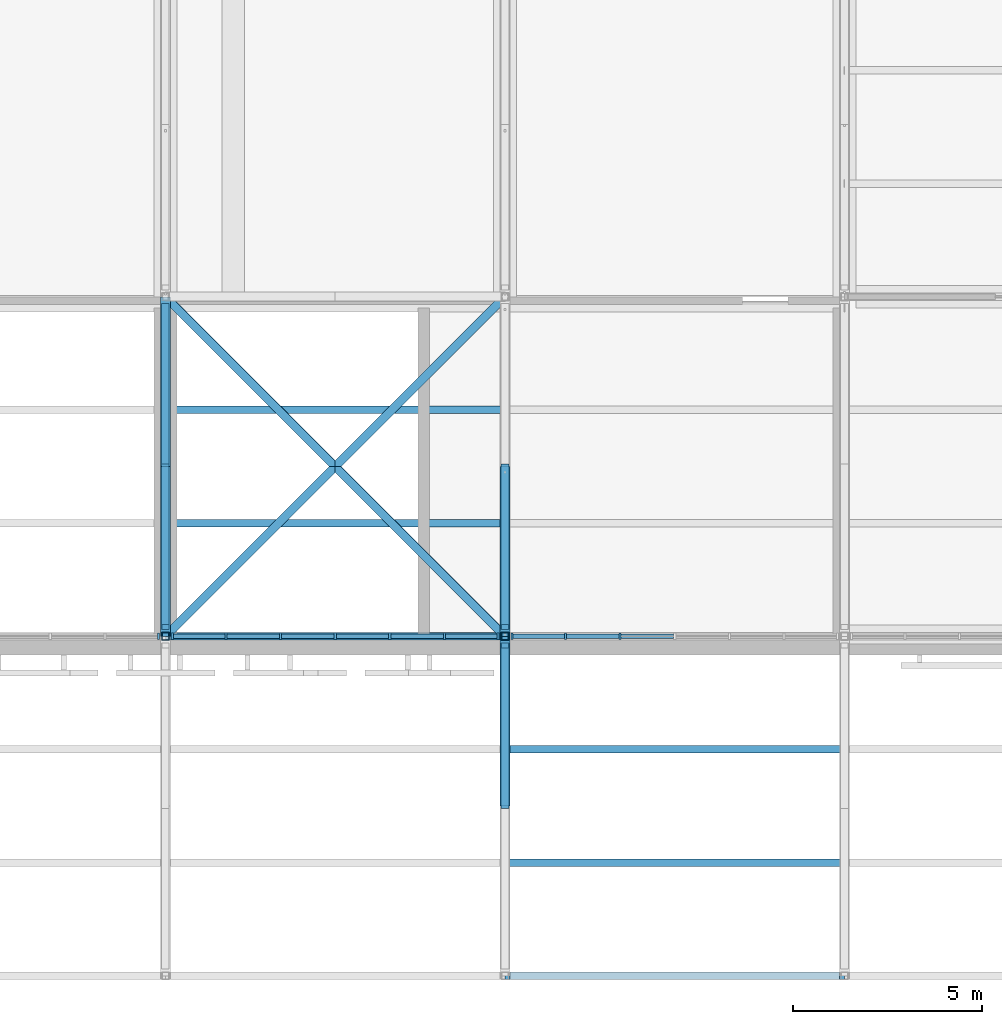
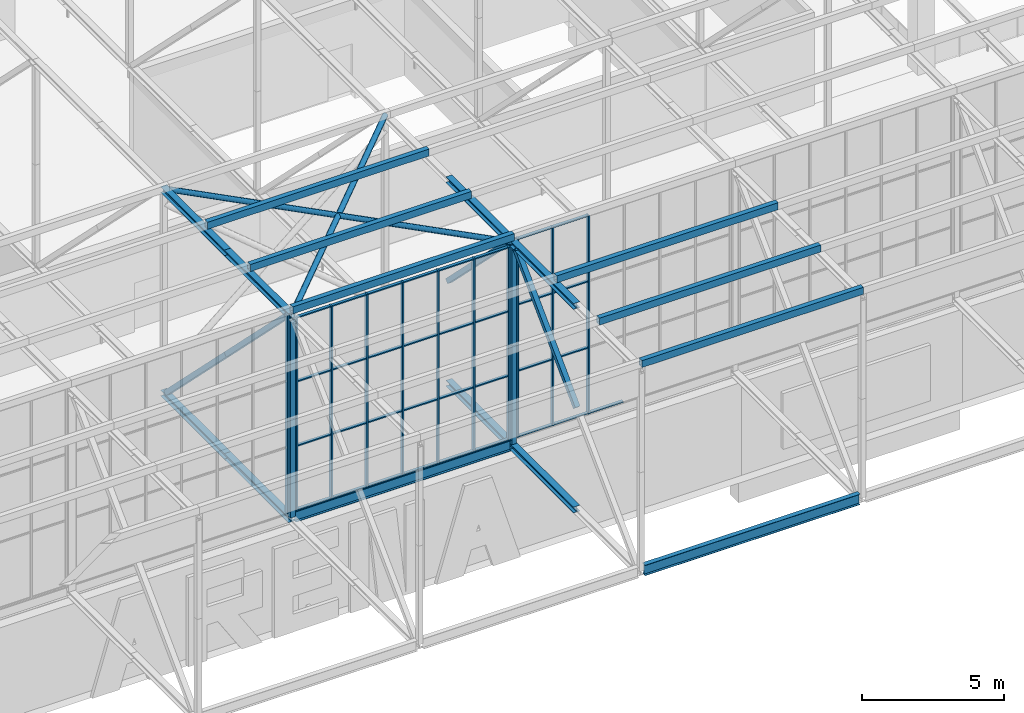
# One storey, part 39 of 646: 70 members, 2 beams, 3 elements without a shape of their own.
"""IFC4 building model written with IfcOpenShell, lengths in metres."""

from ifc_helpers import new_model, si_unit, direction, frame, origin, origin_2d, place, context, subcontext, project, spatial, rectangle, hollow_rectangle, hollow_circle, i_section, extrude, material, material_profile, profile_set, type_object, element, aggregate, save


model = new_model("IFC4")

# Units and contexts
model_context = context("Model", 3, precision=1e-05, world=origin(), true_north=direction((0.0, 1.0)))
body_context = subcontext(model_context, "Body", "Model", "MODEL_VIEW")
ifc_project = project(units=[si_unit("LENGTHUNIT", "METRE"), si_unit("AREAUNIT", "SQUARE_METRE"), si_unit("VOLUMEUNIT", "CUBIC_METRE"), si_unit("PLANEANGLEUNIT", "RADIAN"), si_unit("MASSUNIT", "GRAM", prefix="KILO")], contexts=[model_context])

# Site, building, storey
site_placement = place(None, origin())
site = spatial("IfcSite", under=ifc_project, at=site_placement, CompositionType="ELEMENT")
building_placement = place(site_placement, origin())
building = spatial("IfcBuilding", under=site, at=building_placement, Name="Silverbay Arena", CompositionType="ELEMENT")
storey_placement = place(building_placement, frame((0.0, 0.0, 33.5)))
storey = spatial("IfcBuildingStorey", under=building, at=storey_placement, Name="L05", CompositionType="ELEMENT", Elevation=33.5)

# Members
ifc_material_1 = material(Name="Steel S355", Category="steel")
ifc_material_profile_1 = material_profile(ifc_material_1, i_section(OverallWidth=0.254638671875, OverallDepth=0.254150390625, WebThickness=0.008544921875, FlangeThickness=0.01416015625, at=origin_2d()), Name="UC 254x254x73")
ifc_profile_set_1 = profile_set([ifc_material_profile_1], Name="Steel S355")
member_type_1 = type_object("IfcMemberType", Name="Medium-span bottom chord UC 254x254x73", PredefinedType="CHORD", material=ifc_profile_set_1)
for number, where, z_axis, x_axis, name in (
    (1, (162.0, 18.0, 4.126953125), (0.0, 1.0, 0.0), (-1.0, 0.0, 0.0), "ROOF TRUSS 19 bottom chord 02a"),
    (2, (162.0, 22.5, 4.126953125), (0.0, 1.0, 0.0), (-1.0, 0.0, 0.0), "ROOF TRUSS 19 bottom chord 02b"),
    (3, (171.0, 13.5, 4.126953125), (0.0, 1.0, 0.0), (-1.0, 0.0, 0.0), "ROOF TRUSS 20 bottom chord 01b"),
    (4, (171.0, 18.0, 4.126953125), (0.0, 1.0, 0.0), (-1.0, 0.0, 0.0), "ROOF TRUSS 20 bottom chord 02a"),
):
    element("IfcMember", number, at=place(storey_placement, frame(where, z_axis=z_axis, x_axis=x_axis)), inside=storey, type_object=member_type_1, Name=name, PredefinedType="CHORD", context=body_context, shape_type="SweptSolid", body=[
        extrude(i_section(OverallWidth=0.254638671875, OverallDepth=0.254150390625, WebThickness=0.008544921875, FlangeThickness=0.01416015625, at=origin_2d()), origin(), (0.0, 0.0, 1.0), 4.5),
    ])
ifc_material_2 = material(Name="Steel S355", Category="steel")
ifc_material_profile_2 = material_profile(ifc_material_2, i_section(OverallWidth=0.254638671875, OverallDepth=0.254150390625, WebThickness=0.008544921875, FlangeThickness=0.01416015625, at=origin_2d()), Name="UC 254x254x73")
ifc_profile_set_2 = profile_set([ifc_material_profile_2], Name="Steel S355")
member_type_2 = type_object("IfcMemberType", Name="Medium-span top chord UC 254x254x73", PredefinedType="CHORD", material=ifc_profile_set_2)
for number, where, z_axis, x_axis, name in (
    (5, (162.0, 18.0, 12.873046875), (0.0, 1.0, 0.0), (-1.0, 0.0, 0.0), "ROOF TRUSS 19 top chord 02a"),
    (6, (162.0, 22.5, 12.873046875), (0.0, 1.0, 0.0), (-1.0, 0.0, 0.0), "ROOF TRUSS 19 top chord 02b"),
    (7, (171.0, 13.5, 12.873046875), (0.0, 1.0, 0.0), (-1.0, 0.0, 0.0), "ROOF TRUSS 20 top chord 01b"),
    (8, (171.0, 18.0, 12.873046875), (0.0, 1.0, 0.0), (-1.0, 0.0, 0.0), "ROOF TRUSS 20 top chord 02a"),
):
    element("IfcMember", number, at=place(storey_placement, frame(where, z_axis=z_axis, x_axis=x_axis)), inside=storey, type_object=member_type_2, Name=name, PredefinedType="CHORD", context=body_context, shape_type="SweptSolid", body=[
        extrude(i_section(OverallWidth=0.254638671875, OverallDepth=0.254150390625, WebThickness=0.008544921875, FlangeThickness=0.01416015625, at=origin_2d()), origin(), (0.0, 0.0, 1.0), 4.5),
    ])
ifc_material_3 = material(Name="Steel S355", Category="steel")
ifc_material_profile_3 = material_profile(ifc_material_3, hollow_rectangle(XDim=0.199951171875, YDim=0.199951171875, WallThickness=0.008056640625, at=origin_2d()), Name="SHS 200x200x8")
ifc_profile_set_3 = profile_set([ifc_material_profile_3], Name="Steel S355")
member_type_3 = type_object("IfcMemberType", Name="Medium-span truss diagonal SHS 200x200x8", PredefinedType="BRACE", material=ifc_profile_set_3)
for number, where, z_axis, x_axis, name in (
    (9, (162.0, 18.24560546875, 12.745849609375), (0.0, 0.70781724692, -0.706395600894), (-1.0, 0.0, 0.0), "ROOF TRUSS 19 diagonal 02a"),
    (10, (162.0, 22.5, 8.5), (0.0, 0.70781724692, -0.706395600894), (-1.0, 0.0, 0.0), "ROOF TRUSS 19 diagonal 02b"),
    (11, (171.0, 17.75439453125, 12.745849609375), (0.0, -0.70781724692, -0.706395600894), (1.0, 0.0, 0.0), "ROOF TRUSS 20 diagonal 01a"),
    (12, (171.0, 18.24560546875, 12.745849609375), (0.0, 0.70781724692, -0.706395600894), (-1.0, 0.0, 0.0), "ROOF TRUSS 20 diagonal 02a"),
):
    element("IfcMember", number, at=place(storey_placement, frame(where, z_axis=z_axis, x_axis=x_axis)), inside=storey, type_object=member_type_3, Name=name, PredefinedType="BRACE", context=body_context, shape_type="SweptSolid", body=[
        extrude(hollow_rectangle(XDim=0.199951171875, YDim=0.199951171875, WallThickness=0.008056640625, at=origin_2d()), origin(), (0.0, 0.0, 1.0), 6.010498046875),
    ])
ifc_material_4 = material(Name="Steel S355", Category="steel")
ifc_material_profile_4 = material_profile(ifc_material_4, hollow_rectangle(XDim=0.199951171875, YDim=0.199951171875, WallThickness=0.008056640625, at=origin_2d()), Name="SHS 200x200x8")
ifc_profile_set_4 = profile_set([ifc_material_profile_4], Name="Steel S355")
member_type_4 = type_object("IfcMemberType", Name="Medium-span truss vertical SHS 200x200x8", PredefinedType="STRUT", material=ifc_profile_set_4)
for number, where, z_axis, x_axis, name in (
    (13, (162.0, 18.0, 4.254150390625), (0.0, 0.0, 1.0), (1.0, 0.0, 0.0), "ROOF TRUSS 19 vertical 02a"),
    (14, (162.0, 18.0, 8.5), (0.0, 0.0, 1.0), (1.0, 0.0, 0.0), "ROOF TRUSS 19 vertical 02b"),
    (15, (171.0, 18.0, 4.254150390625), (0.0, 0.0, 1.0), (1.0, 0.0, 0.0), "ROOF TRUSS 20 vertical 02a"),
    (16, (171.0, 18.0, 8.5), (0.0, 0.0, 1.0), (1.0, 0.0, 0.0), "ROOF TRUSS 20 vertical 02b"),
):
    element("IfcMember", number, at=place(storey_placement, frame(where, z_axis=z_axis, x_axis=x_axis)), inside=storey, type_object=member_type_4, Name=name, PredefinedType="STRUT", context=body_context, shape_type="SweptSolid", body=[
        extrude(hollow_rectangle(XDim=0.199951171875, YDim=0.199951171875, WallThickness=0.008056640625, at=origin_2d()), origin(), (0.0, 0.0, 1.0), 4.245849609375),
    ])

# Curtain wall, member
ifc_material_5 = material(Name="Aluminium framed glazing", Category="aluminium")
curtain_wall_type_1 = type_object("IfcCurtainWallType", Name="Curtain wall clerestory 8693 x 8540", PredefinedType="NOTDEFINED", material=ifc_material_5)
curtain_wall_1_placement = place(storey_placement, origin())
curtain_wall_1 = element("IfcCurtainWall", 17, at=curtain_wall_1_placement, inside=storey, type_object=curtain_wall_type_1, Name="ROOF CLERESTORY CURTAIN WALL south bay 12", PredefinedType="NOTDEFINED")
ifc_material_6 = material(Name="Aluminium", Category="aluminium")
ifc_material_profile_5 = material_profile(ifc_material_6, rectangle(XDim=0.159912109375, YDim=0.06005859375, at=origin_2d()), Name="Mullion 60 x 160")
ifc_profile_set_5 = profile_set([ifc_material_profile_5], Name="Aluminium")
member_type_5 = type_object("IfcMemberType", Name="Mullion 60 x 160", PredefinedType="MULLION", material=ifc_profile_set_5)
member_1_placement = place(storey_placement, frame((161.81640625, 18.0, 4.4599609375), z_axis=(0.0, 0.0, 1.0), x_axis=(0.0, 1.0, 0.0)))
member_1 = element("IfcMember", 18, at=member_1_placement, type_object=member_type_5, Name="CW55 mullion 7", PredefinedType="MULLION", context=body_context, shape_type="SweptSolid", body=[
    extrude(rectangle(XDim=0.159912109375, YDim=0.06005859375, at=origin_2d()), origin(), (0.0, 0.0, 1.0), 8.5400390625),
])
aggregate(curtain_wall_1, [member_1])

# Curtain wall, members
ifc_material_7 = material(Name="Aluminium framed glazing", Category="aluminium")
curtain_wall_type_2 = type_object("IfcCurtainWallType", Name="Curtain wall clerestory 8693 x 8303", PredefinedType="NOTDEFINED", material=ifc_material_7)
curtain_wall_2_placement = place(storey_placement, origin())
curtain_wall_2 = element("IfcCurtainWall", 19, at=curtain_wall_2_placement, inside=storey, type_object=curtain_wall_type_2, Name="ROOF CLERESTORY CURTAIN WALL south bay 13", PredefinedType="NOTDEFINED")
member_2_placement = place(storey_placement, frame((162.18359375, 18.0, 4.4599609375), z_axis=(0.0, 0.0, 1.0), x_axis=(0.0, 1.0, 0.0)))
member_2 = element("IfcMember", 20, at=member_2_placement, type_object=member_type_5, Name="CW54 mullion 1", PredefinedType="MULLION", context=body_context, shape_type="SweptSolid", body=[
    extrude(rectangle(XDim=0.159912109375, YDim=0.06005859375, at=origin_2d()), origin(), (0.0, 0.0, 1.0), 8.303466796875),
])
member_3_placement = place(storey_placement, frame((163.6025390625, 18.0, 4.4599609375), z_axis=(0.0, 0.0, 1.0), x_axis=(0.0, 1.0, 0.0)))
member_3 = element("IfcMember", 21, at=member_3_placement, type_object=member_type_5, Name="CW54 mullion 2", PredefinedType="MULLION", context=body_context, shape_type="SweptSolid", body=[
    extrude(rectangle(XDim=0.159912109375, YDim=0.06005859375, at=origin_2d()), origin(), (0.0, 0.0, 1.0), 8.303466796875),
])
member_4_placement = place(storey_placement, frame((165.05126953125, 18.0, 4.4599609375), z_axis=(0.0, 0.0, 1.0), x_axis=(0.0, 1.0, 0.0)))
member_4 = element("IfcMember", 22, at=member_4_placement, type_object=member_type_5, Name="CW54 mullion 3", PredefinedType="MULLION", context=body_context, shape_type="SweptSolid", body=[
    extrude(rectangle(XDim=0.159912109375, YDim=0.06005859375, at=origin_2d()), origin(), (0.0, 0.0, 1.0), 8.303466796875),
])
member_5_placement = place(storey_placement, frame((166.5, 18.0, 4.4599609375), z_axis=(0.0, 0.0, 1.0), x_axis=(0.0, 1.0, 0.0)))
member_5 = element("IfcMember", 23, at=member_5_placement, type_object=member_type_5, Name="CW54 mullion 4", PredefinedType="MULLION", context=body_context, shape_type="SweptSolid", body=[
    extrude(rectangle(XDim=0.159912109375, YDim=0.06005859375, at=origin_2d()), origin(), (0.0, 0.0, 1.0), 8.303466796875),
])
member_6_placement = place(storey_placement, frame((167.94873046875, 18.0, 4.4599609375), z_axis=(0.0, 0.0, 1.0), x_axis=(0.0, 1.0, 0.0)))
member_6 = element("IfcMember", 24, at=member_6_placement, type_object=member_type_5, Name="CW54 mullion 5", PredefinedType="MULLION", context=body_context, shape_type="SweptSolid", body=[
    extrude(rectangle(XDim=0.159912109375, YDim=0.06005859375, at=origin_2d()), origin(), (0.0, 0.0, 1.0), 8.303466796875),
])
member_7_placement = place(storey_placement, frame((169.3974609375, 18.0, 4.4599609375), z_axis=(0.0, 0.0, 1.0), x_axis=(0.0, 1.0, 0.0)))
member_7 = element("IfcMember", 25, at=member_7_placement, type_object=member_type_5, Name="CW54 mullion 6", PredefinedType="MULLION", context=body_context, shape_type="SweptSolid", body=[
    extrude(rectangle(XDim=0.159912109375, YDim=0.06005859375, at=origin_2d()), origin(), (0.0, 0.0, 1.0), 8.303466796875),
])
member_8_placement = place(storey_placement, frame((170.81640625, 18.0, 4.4599609375), z_axis=(0.0, 0.0, 1.0), x_axis=(0.0, 1.0, 0.0)))
member_8 = element("IfcMember", 26, at=member_8_placement, type_object=member_type_5, Name="CW54 mullion 7", PredefinedType="MULLION", context=body_context, shape_type="SweptSolid", body=[
    extrude(rectangle(XDim=0.159912109375, YDim=0.06005859375, at=origin_2d()), origin(), (0.0, 0.0, 1.0), 8.303466796875),
])

curtain_wall_3_placement = place(storey_placement, origin())
curtain_wall_3 = element("IfcCurtainWall", 27, at=curtain_wall_3_placement, inside=storey, type_object=curtain_wall_type_1, Name="ROOF CLERESTORY CURTAIN WALL south bay 14", PredefinedType="NOTDEFINED")
member_9_placement = place(storey_placement, frame((171.18359375, 18.0, 4.4599609375), z_axis=(0.0, 0.0, 1.0), x_axis=(0.0, 1.0, 0.0)))
member_9 = element("IfcMember", 28, at=member_9_placement, type_object=member_type_5, Name="CW55 mullion 1", PredefinedType="MULLION", context=body_context, shape_type="SweptSolid", body=[
    extrude(rectangle(XDim=0.159912109375, YDim=0.06005859375, at=origin_2d()), origin(), (0.0, 0.0, 1.0), 8.5400390625),
])
member_10_placement = place(storey_placement, frame((172.6025390625, 18.0, 4.4599609375), z_axis=(0.0, 0.0, 1.0), x_axis=(0.0, 1.0, 0.0)))
member_10 = element("IfcMember", 29, at=member_10_placement, type_object=member_type_5, Name="CW55 mullion 2", PredefinedType="MULLION", context=body_context, shape_type="SweptSolid", body=[
    extrude(rectangle(XDim=0.159912109375, YDim=0.06005859375, at=origin_2d()), origin(), (0.0, 0.0, 1.0), 8.5400390625),
])
member_11_placement = place(storey_placement, frame((174.05126953125, 18.0, 4.4599609375), z_axis=(0.0, 0.0, 1.0), x_axis=(0.0, 1.0, 0.0)))
member_11 = element("IfcMember", 30, at=member_11_placement, type_object=member_type_5, Name="CW55 mullion 3", PredefinedType="MULLION", context=body_context, shape_type="SweptSolid", body=[
    extrude(rectangle(XDim=0.159912109375, YDim=0.06005859375, at=origin_2d()), origin(), (0.0, 0.0, 1.0), 8.5400390625),
])

# Members
ifc_material_8 = material(Name="Steel S355", Category="steel")
ifc_material_profile_6 = material_profile(ifc_material_8, hollow_circle(Radius=0.109619140625, WallThickness=0.00634765625, at=origin_2d()), Name="CHS 219.1x6.3")
ifc_profile_set_6 = profile_set([ifc_material_profile_6], Name="Steel S355")
member_type_6 = type_object("IfcMemberType", Name="Plan bracing CHS 219.1x6.3", PredefinedType="BRACE", material=ifc_profile_set_6)
for number, where, z_axis, x_axis, name in (
    (31, (162.0, 18.0, 12.873046875), (0.707106781187, 0.707106781187, 0.0), (-0.707106781187, 0.707106781187, 0.0), "ROOF BRACING top 19-20 panel 02 Aa"),
    (32, (166.5, 22.5, 12.873046875), (0.707106781187, 0.707106781187, 0.0), (-0.707106781187, 0.707106781187, 0.0), "ROOF BRACING top 19-20 panel 02 Ab"),
    (33, (162.0, 27.0, 12.873046875), (0.707106781187, -0.707106781187, 0.0), (0.707106781187, 0.707106781187, 0.0), "ROOF BRACING top 19-20 panel 02 Ba"),
    (34, (166.5, 22.5, 12.873046875), (0.707106781187, -0.707106781187, 0.0), (0.707106781187, 0.707106781187, 0.0), "ROOF BRACING top 19-20 panel 02 Bb"),
):
    element("IfcMember", number, at=place(storey_placement, frame(where, z_axis=z_axis, x_axis=x_axis)), inside=storey, type_object=member_type_6, Name=name, PredefinedType="BRACE", context=body_context, shape_type="SweptSolid", body=[
        extrude(hollow_circle(Radius=0.109619140625, WallThickness=0.00634765625, at=origin_2d()), origin(), (0.0, 0.0, 1.0), 6.364013671875),
    ])
ifc_material_9 = material(Name="Steel S355", Category="steel")
ifc_material_profile_7 = material_profile(ifc_material_9, hollow_rectangle(XDim=0.199951171875, YDim=0.300048828125, WallThickness=0.00634765625, at=origin_2d()), Name="RHS 300x200x6.3")
ifc_profile_set_7 = profile_set([ifc_material_profile_7], Name="Steel S355")
member_type_7 = type_object("IfcMemberType", Name="Purlin RHS 300x200x6.3", PredefinedType="PURLIN", material=ifc_profile_set_7)
member_12_placement = place(storey_placement, frame((162.0, 24.0, 13.14990234375), z_axis=(1.0, 0.0, 0.0), x_axis=(0.0, 1.0, 0.0)))
element("IfcMember", 35, at=member_12_placement, inside=storey, type_object=member_type_7, Name="ROOF PURLIN 19-20 line 06", PredefinedType="PURLIN", context=body_context, shape_type="SweptSolid", body=[
    extrude(hollow_rectangle(XDim=0.199951171875, YDim=0.300048828125, WallThickness=0.00634765625, at=origin_2d()), origin(), (0.0, 0.0, 1.0), 9.0),
])
ifc_material_10 = material(Name="Steel S355", Category="steel")
ifc_material_profile_8 = material_profile(ifc_material_10, hollow_rectangle(XDim=0.199951171875, YDim=0.300048828125, WallThickness=0.008056640625, at=origin_2d()), Name="RHS 300x200x8")
ifc_profile_set_8 = profile_set([ifc_material_profile_8], Name="Steel S355")
member_type_8 = type_object("IfcMemberType", Name="Purlin RHS 300x200x8", PredefinedType="PURLIN", material=ifc_profile_set_8)
for number, where, z_axis, x_axis, name in (
    (36, (162.0, 18.0, 13.14990234375), (1.0, 0.0, 0.0), (0.0, 1.0, 0.0), "ROOF PURLIN 19-20 line 04"),
    (37, (162.0, 21.0, 13.14990234375), (1.0, 0.0, 0.0), (0.0, 1.0, 0.0), "ROOF PURLIN 19-20 line 05"),
    (38, (171.0, 9.0, 13.14990234375), (1.0, 0.0, 0.0), (0.0, 1.0, 0.0), "ROOF PURLIN 20-21 line 01"),
    (39, (171.0, 12.0, 13.14990234375), (1.0, 0.0, 0.0), (0.0, 1.0, 0.0), "ROOF PURLIN 20-21 line 02"),
    (40, (171.0, 15.0, 13.14990234375), (1.0, 0.0, 0.0), (0.0, 1.0, 0.0), "ROOF PURLIN 20-21 line 03"),
):
    element("IfcMember", number, at=place(storey_placement, frame(where, z_axis=z_axis, x_axis=x_axis)), inside=storey, type_object=member_type_8, Name=name, PredefinedType="PURLIN", context=body_context, shape_type="SweptSolid", body=[
        extrude(hollow_rectangle(XDim=0.199951171875, YDim=0.300048828125, WallThickness=0.008056640625, at=origin_2d()), origin(), (0.0, 0.0, 1.0), 9.0),
    ])

# Beams
ifc_material_11 = material(Name="Steel S355", Category="steel")
ifc_material_profile_9 = material_profile(ifc_material_11, i_section(OverallWidth=0.18994140625, OverallDepth=0.453369140625, WebThickness=0.008544921875, FlangeThickness=0.0126953125, at=origin_2d()), Name="UB 457x191x67")
ifc_profile_set_9 = profile_set([ifc_material_profile_9], Name="Steel S355")
beam_type_1 = type_object("IfcBeamType", Name="Ring beam UB 457x191x67", PredefinedType="BEAM", material=ifc_profile_set_9)
beam_1_placement = place(storey_placement, frame((171.127197265625, 9.0, 4.226806640625), z_axis=(1.0, 0.0, 0.0), x_axis=(0.0, 1.0, 0.0)))
element("IfcBeam", 41, at=beam_1_placement, inside=storey, type_object=beam_type_1, Name="RING BEAM south edge 20-21", PredefinedType="BEAM", context=body_context, shape_type="SweptSolid", body=[
    extrude(i_section(OverallWidth=0.18994140625, OverallDepth=0.453369140625, WebThickness=0.008544921875, FlangeThickness=0.0126953125, at=origin_2d()), origin(), (0.0, 0.0, 1.0), 8.74560546875),
])
ifc_material_12 = material(Name="Steel S355", Category="steel")
ifc_material_profile_10 = material_profile(ifc_material_12, i_section(OverallWidth=0.19140625, OverallDepth=0.4599609375, WebThickness=0.010009765625, FlangeThickness=0.01611328125, at=origin_2d()), Name="UB 457x191x82")
ifc_profile_set_10 = profile_set([ifc_material_profile_10], Name="Steel S355")
beam_type_2 = type_object("IfcBeamType", Name="Ring beam UB 457x191x82", PredefinedType="BEAM", material=ifc_profile_set_10)
beam_2_placement = place(storey_placement, frame((162.127197265625, 18.0, 4.22998046875), z_axis=(1.0, 0.0, 0.0), x_axis=(0.0, 1.0, 0.0)))
element("IfcBeam", 42, at=beam_2_placement, inside=storey, type_object=beam_type_2, Name="RING BEAM south facade 19-20", PredefinedType="BEAM", context=body_context, shape_type="SweptSolid", body=[
    extrude(i_section(OverallWidth=0.19140625, OverallDepth=0.4599609375, WebThickness=0.010009765625, FlangeThickness=0.01611328125, at=origin_2d()), origin(), (0.0, 0.0, 1.0), 8.74560546875),
])

# Member
ifc_material_13 = material(Name="Aluminium", Category="aluminium")
ifc_material_profile_11 = material_profile(ifc_material_13, rectangle(XDim=0.1201171875, YDim=0.050048828125, at=origin_2d()), Name="Transom 50 x 120")
ifc_profile_set_11 = profile_set([ifc_material_profile_11], Name="Aluminium")
member_type_9 = type_object("IfcMemberType", Name="Transom 50 x 120", PredefinedType="USERDEFINED", material=ifc_profile_set_11)
member_13_placement = place(storey_placement, frame((162.213623046875, 18.0, 4.485107421875), z_axis=(1.0, 0.0, 0.0), x_axis=(0.0, 1.0, 0.0)))
member_13 = element("IfcMember", 43, at=member_13_placement, type_object=member_type_9, Name="CW54 transom 1.1", ObjectType="TRANSOM", PredefinedType="USERDEFINED", context=body_context, shape_type="SweptSolid", body=[
    extrude(rectangle(XDim=0.1201171875, YDim=0.050048828125, at=origin_2d()), origin(), (0.0, 0.0, 1.0), 1.35888671875),
])

member_14_placement = place(storey_placement, frame((162.213623046875, 18.0, 7.227783203125), z_axis=(1.0, 0.0, 0.0), x_axis=(0.0, 1.0, 0.0)))
member_14 = element("IfcMember", 44, at=member_14_placement, type_object=member_type_9, Name="CW54 transom 1.2", ObjectType="TRANSOM", PredefinedType="USERDEFINED", context=body_context, shape_type="SweptSolid", body=[
    extrude(rectangle(XDim=0.1201171875, YDim=0.050048828125, at=origin_2d()), origin(), (0.0, 0.0, 1.0), 1.35888671875),
])

member_15_placement = place(storey_placement, frame((162.213623046875, 18.0, 9.99560546875), z_axis=(1.0, 0.0, 0.0), x_axis=(0.0, 1.0, 0.0)))
member_15 = element("IfcMember", 45, at=member_15_placement, type_object=member_type_9, Name="CW54 transom 1.3", ObjectType="TRANSOM", PredefinedType="USERDEFINED", context=body_context, shape_type="SweptSolid", body=[
    extrude(rectangle(XDim=0.1201171875, YDim=0.050048828125, at=origin_2d()), origin(), (0.0, 0.0, 1.0), 1.35888671875),
])

member_16_placement = place(storey_placement, frame((162.213623046875, 18.0, 12.73828125), z_axis=(1.0, 0.0, 0.0), x_axis=(0.0, 1.0, 0.0)))
member_16 = element("IfcMember", 46, at=member_16_placement, type_object=member_type_9, Name="CW54 transom 1.4", ObjectType="TRANSOM", PredefinedType="USERDEFINED", context=body_context, shape_type="SweptSolid", body=[
    extrude(rectangle(XDim=0.1201171875, YDim=0.050048828125, at=origin_2d()), origin(), (0.0, 0.0, 1.0), 1.35888671875),
])

member_17_placement = place(storey_placement, frame((163.632568359375, 18.0, 4.485107421875), z_axis=(1.0, 0.0, 0.0), x_axis=(0.0, 1.0, 0.0)))
member_17 = element("IfcMember", 47, at=member_17_placement, type_object=member_type_9, Name="CW54 transom 2.1", ObjectType="TRANSOM", PredefinedType="USERDEFINED", context=body_context, shape_type="SweptSolid", body=[
    extrude(rectangle(XDim=0.1201171875, YDim=0.050048828125, at=origin_2d()), origin(), (0.0, 0.0, 1.0), 1.388671875),
])

member_18_placement = place(storey_placement, frame((163.632568359375, 18.0, 7.227783203125), z_axis=(1.0, 0.0, 0.0), x_axis=(0.0, 1.0, 0.0)))
member_18 = element("IfcMember", 48, at=member_18_placement, type_object=member_type_9, Name="CW54 transom 2.2", ObjectType="TRANSOM", PredefinedType="USERDEFINED", context=body_context, shape_type="SweptSolid", body=[
    extrude(rectangle(XDim=0.1201171875, YDim=0.050048828125, at=origin_2d()), origin(), (0.0, 0.0, 1.0), 1.388671875),
])

member_19_placement = place(storey_placement, frame((163.632568359375, 18.0, 9.99560546875), z_axis=(1.0, 0.0, 0.0), x_axis=(0.0, 1.0, 0.0)))
member_19 = element("IfcMember", 49, at=member_19_placement, type_object=member_type_9, Name="CW54 transom 2.3", ObjectType="TRANSOM", PredefinedType="USERDEFINED", context=body_context, shape_type="SweptSolid", body=[
    extrude(rectangle(XDim=0.1201171875, YDim=0.050048828125, at=origin_2d()), origin(), (0.0, 0.0, 1.0), 1.388671875),
])

member_20_placement = place(storey_placement, frame((163.632568359375, 18.0, 12.73828125), z_axis=(1.0, 0.0, 0.0), x_axis=(0.0, 1.0, 0.0)))
member_20 = element("IfcMember", 50, at=member_20_placement, type_object=member_type_9, Name="CW54 transom 2.4", ObjectType="TRANSOM", PredefinedType="USERDEFINED", context=body_context, shape_type="SweptSolid", body=[
    extrude(rectangle(XDim=0.1201171875, YDim=0.050048828125, at=origin_2d()), origin(), (0.0, 0.0, 1.0), 1.388671875),
])

member_21_placement = place(storey_placement, frame((165.081298828125, 18.0, 4.485107421875), z_axis=(1.0, 0.0, 0.0), x_axis=(0.0, 1.0, 0.0)))
member_21 = element("IfcMember", 51, at=member_21_placement, type_object=member_type_9, Name="CW54 transom 3.1", ObjectType="TRANSOM", PredefinedType="USERDEFINED", context=body_context, shape_type="SweptSolid", body=[
    extrude(rectangle(XDim=0.1201171875, YDim=0.050048828125, at=origin_2d()), origin(), (0.0, 0.0, 1.0), 1.388671875),
])

member_22_placement = place(storey_placement, frame((165.081298828125, 18.0, 7.227783203125), z_axis=(1.0, 0.0, 0.0), x_axis=(0.0, 1.0, 0.0)))
member_22 = element("IfcMember", 52, at=member_22_placement, type_object=member_type_9, Name="CW54 transom 3.2", ObjectType="TRANSOM", PredefinedType="USERDEFINED", context=body_context, shape_type="SweptSolid", body=[
    extrude(rectangle(XDim=0.1201171875, YDim=0.050048828125, at=origin_2d()), origin(), (0.0, 0.0, 1.0), 1.388671875),
])

member_23_placement = place(storey_placement, frame((165.081298828125, 18.0, 9.99560546875), z_axis=(1.0, 0.0, 0.0), x_axis=(0.0, 1.0, 0.0)))
member_23 = element("IfcMember", 53, at=member_23_placement, type_object=member_type_9, Name="CW54 transom 3.3", ObjectType="TRANSOM", PredefinedType="USERDEFINED", context=body_context, shape_type="SweptSolid", body=[
    extrude(rectangle(XDim=0.1201171875, YDim=0.050048828125, at=origin_2d()), origin(), (0.0, 0.0, 1.0), 1.388671875),
])

member_24_placement = place(storey_placement, frame((165.081298828125, 18.0, 12.73828125), z_axis=(1.0, 0.0, 0.0), x_axis=(0.0, 1.0, 0.0)))
member_24 = element("IfcMember", 54, at=member_24_placement, type_object=member_type_9, Name="CW54 transom 3.4", ObjectType="TRANSOM", PredefinedType="USERDEFINED", context=body_context, shape_type="SweptSolid", body=[
    extrude(rectangle(XDim=0.1201171875, YDim=0.050048828125, at=origin_2d()), origin(), (0.0, 0.0, 1.0), 1.388671875),
])

member_25_placement = place(storey_placement, frame((166.530029296875, 18.0, 4.485107421875), z_axis=(1.0, 0.0, 0.0), x_axis=(0.0, 1.0, 0.0)))
member_25 = element("IfcMember", 55, at=member_25_placement, type_object=member_type_9, Name="CW54 transom 4.1", ObjectType="TRANSOM", PredefinedType="USERDEFINED", context=body_context, shape_type="SweptSolid", body=[
    extrude(rectangle(XDim=0.1201171875, YDim=0.050048828125, at=origin_2d()), origin(), (0.0, 0.0, 1.0), 1.388671875),
])

member_26_placement = place(storey_placement, frame((166.530029296875, 18.0, 7.227783203125), z_axis=(1.0, 0.0, 0.0), x_axis=(0.0, 1.0, 0.0)))
member_26 = element("IfcMember", 56, at=member_26_placement, type_object=member_type_9, Name="CW54 transom 4.2", ObjectType="TRANSOM", PredefinedType="USERDEFINED", context=body_context, shape_type="SweptSolid", body=[
    extrude(rectangle(XDim=0.1201171875, YDim=0.050048828125, at=origin_2d()), origin(), (0.0, 0.0, 1.0), 1.388671875),
])

member_27_placement = place(storey_placement, frame((166.530029296875, 18.0, 9.99560546875), z_axis=(1.0, 0.0, 0.0), x_axis=(0.0, 1.0, 0.0)))
member_27 = element("IfcMember", 57, at=member_27_placement, type_object=member_type_9, Name="CW54 transom 4.3", ObjectType="TRANSOM", PredefinedType="USERDEFINED", context=body_context, shape_type="SweptSolid", body=[
    extrude(rectangle(XDim=0.1201171875, YDim=0.050048828125, at=origin_2d()), origin(), (0.0, 0.0, 1.0), 1.388671875),
])

member_28_placement = place(storey_placement, frame((166.530029296875, 18.0, 12.73828125), z_axis=(1.0, 0.0, 0.0), x_axis=(0.0, 1.0, 0.0)))
member_28 = element("IfcMember", 58, at=member_28_placement, type_object=member_type_9, Name="CW54 transom 4.4", ObjectType="TRANSOM", PredefinedType="USERDEFINED", context=body_context, shape_type="SweptSolid", body=[
    extrude(rectangle(XDim=0.1201171875, YDim=0.050048828125, at=origin_2d()), origin(), (0.0, 0.0, 1.0), 1.388671875),
])

member_29_placement = place(storey_placement, frame((167.978759765625, 18.0, 4.485107421875), z_axis=(1.0, 0.0, 0.0), x_axis=(0.0, 1.0, 0.0)))
member_29 = element("IfcMember", 59, at=member_29_placement, type_object=member_type_9, Name="CW54 transom 5.1", ObjectType="TRANSOM", PredefinedType="USERDEFINED", context=body_context, shape_type="SweptSolid", body=[
    extrude(rectangle(XDim=0.1201171875, YDim=0.050048828125, at=origin_2d()), origin(), (0.0, 0.0, 1.0), 1.388671875),
])

member_30_placement = place(storey_placement, frame((167.978759765625, 18.0, 7.227783203125), z_axis=(1.0, 0.0, 0.0), x_axis=(0.0, 1.0, 0.0)))
member_30 = element("IfcMember", 60, at=member_30_placement, type_object=member_type_9, Name="CW54 transom 5.2", ObjectType="TRANSOM", PredefinedType="USERDEFINED", context=body_context, shape_type="SweptSolid", body=[
    extrude(rectangle(XDim=0.1201171875, YDim=0.050048828125, at=origin_2d()), origin(), (0.0, 0.0, 1.0), 1.388671875),
])

member_31_placement = place(storey_placement, frame((167.978759765625, 18.0, 9.99560546875), z_axis=(1.0, 0.0, 0.0), x_axis=(0.0, 1.0, 0.0)))
member_31 = element("IfcMember", 61, at=member_31_placement, type_object=member_type_9, Name="CW54 transom 5.3", ObjectType="TRANSOM", PredefinedType="USERDEFINED", context=body_context, shape_type="SweptSolid", body=[
    extrude(rectangle(XDim=0.1201171875, YDim=0.050048828125, at=origin_2d()), origin(), (0.0, 0.0, 1.0), 1.388671875),
])

member_32_placement = place(storey_placement, frame((167.978759765625, 18.0, 12.73828125), z_axis=(1.0, 0.0, 0.0), x_axis=(0.0, 1.0, 0.0)))
member_32 = element("IfcMember", 62, at=member_32_placement, type_object=member_type_9, Name="CW54 transom 5.4", ObjectType="TRANSOM", PredefinedType="USERDEFINED", context=body_context, shape_type="SweptSolid", body=[
    extrude(rectangle(XDim=0.1201171875, YDim=0.050048828125, at=origin_2d()), origin(), (0.0, 0.0, 1.0), 1.388671875),
])

member_33_placement = place(storey_placement, frame((169.427490234375, 18.0, 4.485107421875), z_axis=(1.0, 0.0, 0.0), x_axis=(0.0, 1.0, 0.0)))
member_33 = element("IfcMember", 63, at=member_33_placement, type_object=member_type_9, Name="CW54 transom 6.1", ObjectType="TRANSOM", PredefinedType="USERDEFINED", context=body_context, shape_type="SweptSolid", body=[
    extrude(rectangle(XDim=0.1201171875, YDim=0.050048828125, at=origin_2d()), origin(), (0.0, 0.0, 1.0), 1.35888671875),
])

member_34_placement = place(storey_placement, frame((169.427490234375, 18.0, 7.227783203125), z_axis=(1.0, 0.0, 0.0), x_axis=(0.0, 1.0, 0.0)))
member_34 = element("IfcMember", 64, at=member_34_placement, type_object=member_type_9, Name="CW54 transom 6.2", ObjectType="TRANSOM", PredefinedType="USERDEFINED", context=body_context, shape_type="SweptSolid", body=[
    extrude(rectangle(XDim=0.1201171875, YDim=0.050048828125, at=origin_2d()), origin(), (0.0, 0.0, 1.0), 1.35888671875),
])

member_35_placement = place(storey_placement, frame((169.427490234375, 18.0, 9.99560546875), z_axis=(1.0, 0.0, 0.0), x_axis=(0.0, 1.0, 0.0)))
member_35 = element("IfcMember", 65, at=member_35_placement, type_object=member_type_9, Name="CW54 transom 6.3", ObjectType="TRANSOM", PredefinedType="USERDEFINED", context=body_context, shape_type="SweptSolid", body=[
    extrude(rectangle(XDim=0.1201171875, YDim=0.050048828125, at=origin_2d()), origin(), (0.0, 0.0, 1.0), 1.35888671875),
])

member_36_placement = place(storey_placement, frame((169.427490234375, 18.0, 12.73828125), z_axis=(1.0, 0.0, 0.0), x_axis=(0.0, 1.0, 0.0)))
member_36 = element("IfcMember", 66, at=member_36_placement, type_object=member_type_9, Name="CW54 transom 6.4", ObjectType="TRANSOM", PredefinedType="USERDEFINED", context=body_context, shape_type="SweptSolid", body=[
    extrude(rectangle(XDim=0.1201171875, YDim=0.050048828125, at=origin_2d()), origin(), (0.0, 0.0, 1.0), 1.35888671875),
])

aggregate(curtain_wall_2, [member_2, member_3, member_4, member_5, member_6, member_7, member_8, member_13, member_14, member_15, member_16, member_17, member_18, member_19, member_20, member_21, member_22, member_23, member_24, member_25, member_26, member_27, member_28, member_29, member_30, member_31, member_32, member_33, member_34, member_35, member_36])

member_37_placement = place(storey_placement, frame((171.213623046875, 18.0, 4.485107421875), z_axis=(1.0, 0.0, 0.0), x_axis=(0.0, 1.0, 0.0)))
member_37 = element("IfcMember", 67, at=member_37_placement, type_object=member_type_9, Name="CW55 transom 1.1", ObjectType="TRANSOM", PredefinedType="USERDEFINED", context=body_context, shape_type="SweptSolid", body=[
    extrude(rectangle(XDim=0.1201171875, YDim=0.050048828125, at=origin_2d()), origin(), (0.0, 0.0, 1.0), 1.35888671875),
])

member_38_placement = place(storey_placement, frame((171.213623046875, 18.0, 7.306640625), z_axis=(1.0, 0.0, 0.0), x_axis=(0.0, 1.0, 0.0)))
member_38 = element("IfcMember", 68, at=member_38_placement, type_object=member_type_9, Name="CW55 transom 1.2", ObjectType="TRANSOM", PredefinedType="USERDEFINED", context=body_context, shape_type="SweptSolid", body=[
    extrude(rectangle(XDim=0.1201171875, YDim=0.050048828125, at=origin_2d()), origin(), (0.0, 0.0, 1.0), 1.35888671875),
])

member_39_placement = place(storey_placement, frame((171.213623046875, 18.0, 10.1533203125), z_axis=(1.0, 0.0, 0.0), x_axis=(0.0, 1.0, 0.0)))
member_39 = element("IfcMember", 69, at=member_39_placement, type_object=member_type_9, Name="CW55 transom 1.3", ObjectType="TRANSOM", PredefinedType="USERDEFINED", context=body_context, shape_type="SweptSolid", body=[
    extrude(rectangle(XDim=0.1201171875, YDim=0.050048828125, at=origin_2d()), origin(), (0.0, 0.0, 1.0), 1.35888671875),
])

member_40_placement = place(storey_placement, frame((171.213623046875, 18.0, 12.97509765625), z_axis=(1.0, 0.0, 0.0), x_axis=(0.0, 1.0, 0.0)))
member_40 = element("IfcMember", 70, at=member_40_placement, type_object=member_type_9, Name="CW55 transom 1.4", ObjectType="TRANSOM", PredefinedType="USERDEFINED", context=body_context, shape_type="SweptSolid", body=[
    extrude(rectangle(XDim=0.1201171875, YDim=0.050048828125, at=origin_2d()), origin(), (0.0, 0.0, 1.0), 1.35888671875),
])

member_41_placement = place(storey_placement, frame((172.632568359375, 18.0, 4.485107421875), z_axis=(1.0, 0.0, 0.0), x_axis=(0.0, 1.0, 0.0)))
member_41 = element("IfcMember", 71, at=member_41_placement, type_object=member_type_9, Name="CW55 transom 2.1", ObjectType="TRANSOM", PredefinedType="USERDEFINED", context=body_context, shape_type="SweptSolid", body=[
    extrude(rectangle(XDim=0.1201171875, YDim=0.050048828125, at=origin_2d()), origin(), (0.0, 0.0, 1.0), 1.388671875),
])

member_42_placement = place(storey_placement, frame((172.632568359375, 18.0, 7.306640625), z_axis=(1.0, 0.0, 0.0), x_axis=(0.0, 1.0, 0.0)))
member_42 = element("IfcMember", 72, at=member_42_placement, type_object=member_type_9, Name="CW55 transom 2.2", ObjectType="TRANSOM", PredefinedType="USERDEFINED", context=body_context, shape_type="SweptSolid", body=[
    extrude(rectangle(XDim=0.1201171875, YDim=0.050048828125, at=origin_2d()), origin(), (0.0, 0.0, 1.0), 1.388671875),
])

member_43_placement = place(storey_placement, frame((172.632568359375, 18.0, 10.1533203125), z_axis=(1.0, 0.0, 0.0), x_axis=(0.0, 1.0, 0.0)))
member_43 = element("IfcMember", 73, at=member_43_placement, type_object=member_type_9, Name="CW55 transom 2.3", ObjectType="TRANSOM", PredefinedType="USERDEFINED", context=body_context, shape_type="SweptSolid", body=[
    extrude(rectangle(XDim=0.1201171875, YDim=0.050048828125, at=origin_2d()), origin(), (0.0, 0.0, 1.0), 1.388671875),
])

member_44_placement = place(storey_placement, frame((172.632568359375, 18.0, 12.97509765625), z_axis=(1.0, 0.0, 0.0), x_axis=(0.0, 1.0, 0.0)))
member_44 = element("IfcMember", 74, at=member_44_placement, type_object=member_type_9, Name="CW55 transom 2.4", ObjectType="TRANSOM", PredefinedType="USERDEFINED", context=body_context, shape_type="SweptSolid", body=[
    extrude(rectangle(XDim=0.1201171875, YDim=0.050048828125, at=origin_2d()), origin(), (0.0, 0.0, 1.0), 1.388671875),
])

member_45_placement = place(storey_placement, frame((174.081298828125, 18.0, 4.485107421875), z_axis=(1.0, 0.0, 0.0), x_axis=(0.0, 1.0, 0.0)))
member_45 = element("IfcMember", 75, at=member_45_placement, type_object=member_type_9, Name="CW55 transom 3.1", ObjectType="TRANSOM", PredefinedType="USERDEFINED", context=body_context, shape_type="SweptSolid", body=[
    extrude(rectangle(XDim=0.1201171875, YDim=0.050048828125, at=origin_2d()), origin(), (0.0, 0.0, 1.0), 1.388671875),
])

aggregate(curtain_wall_3, [member_9, member_10, member_11, member_37, member_38, member_39, member_40, member_41, member_42, member_43, member_44, member_45])

save(model, "model.ifc")
